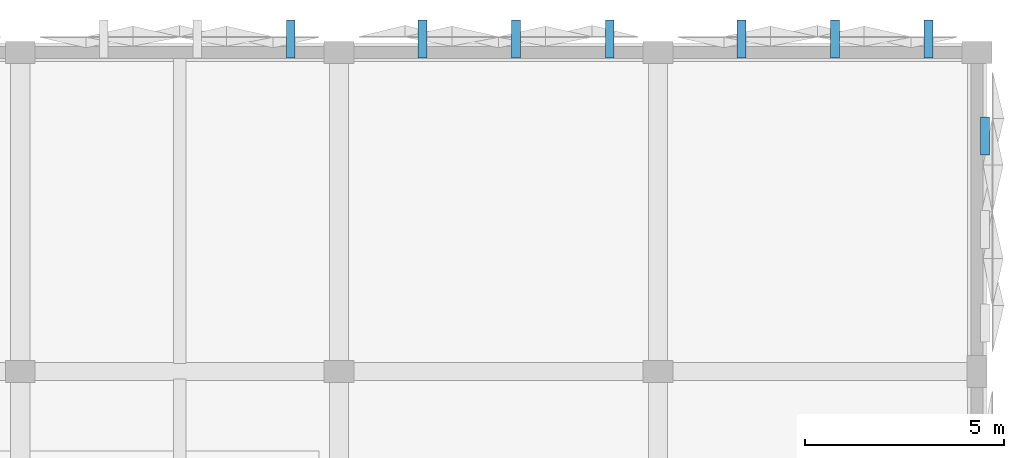
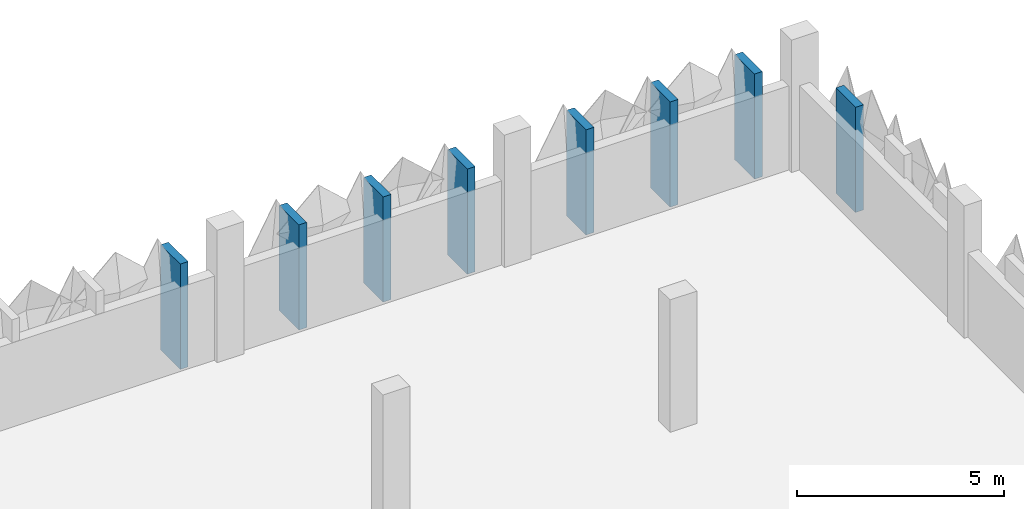
# One storey, part 86 of 123: 8 discrete accessories.
"""IFC4 building model written with IfcOpenShell, lengths in metres."""

from ifc_helpers import new_model, si_unit, derived_unit, direction, frame, origin, origin_2d, place, context, subcontext, project, spatial, rectangle, extrude, material, type_object, element, save


model = new_model("IFC4")

# Units and contexts
model_context = context("Model", 3, precision=1e-05, world=origin(), true_north=direction((0.0, 1.0)))
body_context = subcontext(model_context, "Body", "Model", "MODEL_VIEW")
ifc_project = project(units=[si_unit("LENGTHUNIT", "METRE"), si_unit("AREAUNIT", "SQUARE_METRE"), si_unit("VOLUMEUNIT", "CUBIC_METRE"), si_unit("PLANEANGLEUNIT", "RADIAN"), si_unit("MASSUNIT", "GRAM", prefix="KILO"), si_unit("THERMODYNAMICTEMPERATUREUNIT", "KELVIN"), derived_unit("THERMALTRANSMITTANCEUNIT", [(si_unit("POWERUNIT", "WATT"), 1), (si_unit("AREAUNIT", "SQUARE_METRE"), -1), (si_unit("THERMODYNAMICTEMPERATUREUNIT", "KELVIN"), -1)])], contexts=[model_context])

# Site, building, storey
site_placement = place(None, origin())
site = spatial("IfcSite", under=ifc_project, at=site_placement, CompositionType="ELEMENT")
building_placement = place(site_placement, origin())
building = spatial("IfcBuilding", under=site, at=building_placement, Name="Haiyu Intermodal Mobility Hub", CompositionType="ELEMENT")
storey_placement = place(building_placement, frame((0.0, 0.0, 5.60009765625)))
storey = spatial("IfcBuildingStorey", under=building, at=storey_placement, Name="L01", CompositionType="ELEMENT", Elevation=5.60009765625)

# Discrete accessories
ifc_material = material(Name="Steel Q355C", Category="steel")
discrete_accessory_type = type_object("IfcDiscreteAccessoryType", Name="ACC-BK02", PredefinedType="BRACKET", material=ifc_material)
for number, where, z_axis, x_axis, name in (
    (1, (210.199951171875, 145.906982421875, 0.0498046875), (0.0, 0.0, 1.0), (1.0, 0.0, 0.0), "BRK-PYR-1070"),
    (2, (192.787109375, 148.340087890625, 0.0498046875), (0.0, 0.0, 1.0), (1.0, 0.0, 0.0), "BRK-PYR-1087"),
    (3, (200.787109375, 148.340087890625, 0.0498046875), (0.0, 0.0, 1.0), (1.0, 0.0, 0.0), "BRK-PYR-1094"),
    (4, (198.43994140625, 148.340087890625, 0.0498046875), (0.0, 0.0, 1.0), (1.0, 0.0, 0.0), "BRK-PYR-1097"),
    (5, (196.093017578125, 148.340087890625, 0.0498046875), (0.0, 0.0, 1.0), (1.0, 0.0, 0.0), "BRK-PYR-1098"),
    (6, (208.787109375, 148.340087890625, 0.0498046875), (0.0, 0.0, 1.0), (1.0, 0.0, 0.0), "BRK-PYR-1101"),
    (7, (206.43994140625, 148.340087890625, 0.0498046875), (0.0, 0.0, 1.0), (1.0, 0.0, 0.0), "BRK-PYR-1104"),
    (8, (204.093017578125, 148.340087890625, 0.0498046875), (0.0, 0.0, 1.0), (1.0, 0.0, 0.0), "BRK-PYR-1105"),
):
    element("IfcDiscreteAccessory", number, at=place(storey_placement, frame(where, z_axis=z_axis, x_axis=x_axis)), inside=storey, type_object=discrete_accessory_type, Name=name, PredefinedType="BRACKET", context=body_context, shape_type="SweptSolid", body=[
        extrude(rectangle(XDim=0.219970703125, YDim=0.949951171875, at=origin_2d()), origin(), (0.0, 0.0, 1.0), 3.10009765625),
    ])

save(model, "model.ifc")
